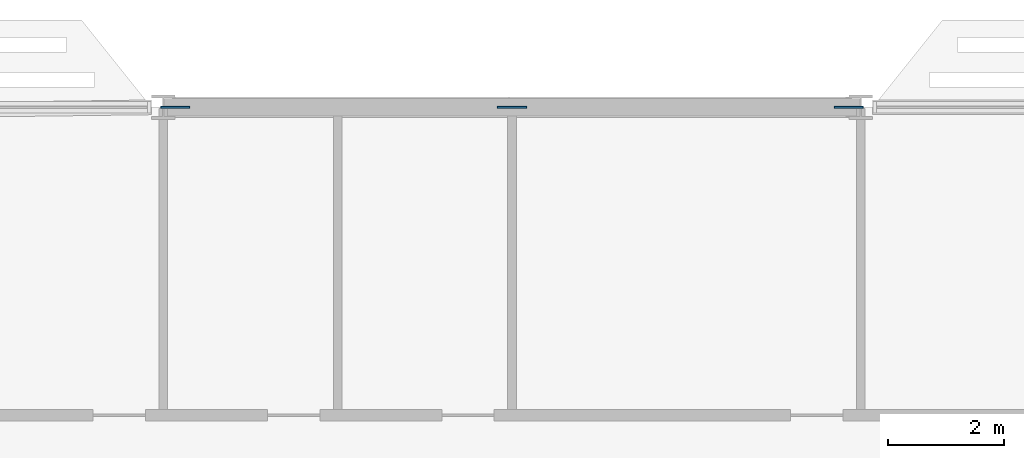
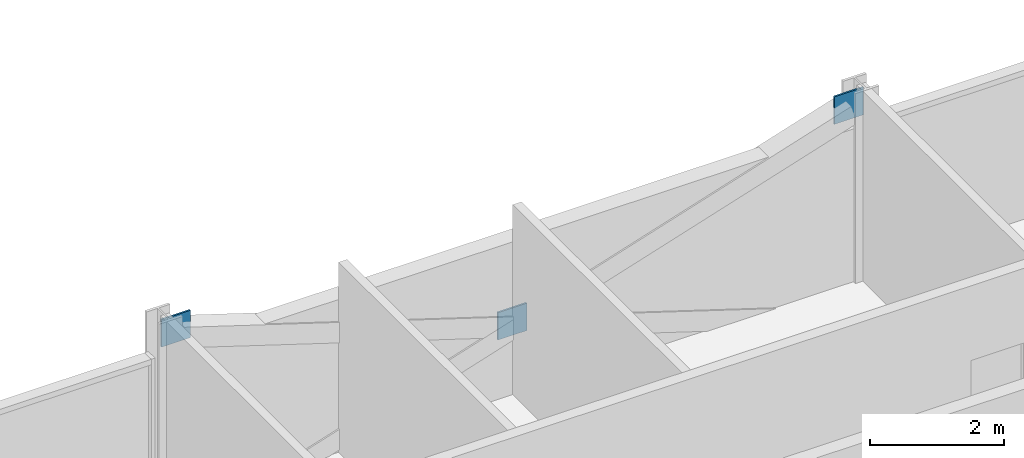
# One storey, part 19 of 27: 3 discrete accessories.
"""IFC4 building model written with IfcOpenShell, lengths in metres."""

from ifc_helpers import new_model, si_unit, direction, frame, origin, origin_2d, place, context, subcontext, project, spatial, rectangle, extrude, material, layer, layer_set, type_object, element, save


model = new_model("IFC4")

# Units and contexts
model_context = context("Model", 3, precision=1e-05, world=origin(), true_north=direction((0.0, 1.0)))
body_context = subcontext(model_context, "Body", "Model", "MODEL_VIEW")
ifc_project = project(units=[si_unit("LENGTHUNIT", "METRE"), si_unit("AREAUNIT", "SQUARE_METRE"), si_unit("VOLUMEUNIT", "CUBIC_METRE"), si_unit("PLANEANGLEUNIT", "RADIAN"), si_unit("MASSUNIT", "GRAM", prefix="KILO")], contexts=[model_context])

# Site, building, storey
site_placement = place(None, origin())
site = spatial("IfcSite", under=ifc_project, at=site_placement, CompositionType="ELEMENT")
building_placement = place(site_placement, origin())
building = spatial("IfcBuilding", under=site, at=building_placement, Name="Mahtab Terrace Research Tower", CompositionType="ELEMENT")
storey_placement = place(building_placement, frame((0.0, 0.0, 163.0)))
storey = spatial("IfcBuildingStorey", under=building, at=storey_placement, Name="L38", CompositionType="ELEMENT", Elevation=163.0)

# Discrete accessories
ifc_material = material(Name="Steel ASTM A992 Gr 50", Category="steel")
ifc_layer = layer(ifc_material, 0.030029296875)
ifc_layer_set = layer_set([ifc_layer], Name="Gusset plate 500x500x30")
discrete_accessory_type = type_object("IfcDiscreteAccessoryType", Name="Gusset plate 500x500x30", PredefinedType="USERDEFINED", material=ifc_layer_set)
for number, where, z_axis, x_axis, name in (
    (1, (-29.796875, 23.0, 2.870849609375), (0.0, 0.0, 1.0), (1.0, 0.0, 0.0), "Gusset plate"),
    (2, (-24.0, 23.0, 0.970947265625), (0.0, 0.0, 1.0), (1.0, 0.0, 0.0), "Gusset plate"),
    (3, (-18.203125, 23.0, 2.870849609375), (0.0, 0.0, 1.0), (1.0, 0.0, 0.0), "Gusset plate"),
):
    element("IfcDiscreteAccessory", number, at=place(storey_placement, frame(where, z_axis=z_axis, x_axis=x_axis)), inside=storey, type_object=discrete_accessory_type, Name=name, ObjectType="GUSSET PLATE", PredefinedType="USERDEFINED", context=body_context, shape_type="SweptSolid", body=[
        extrude(rectangle(XDim=0.5, YDim=0.030029296875, at=origin_2d()), origin(), (0.0, 0.0, 1.0), 0.5),
    ])

save(model, "model.ifc")
